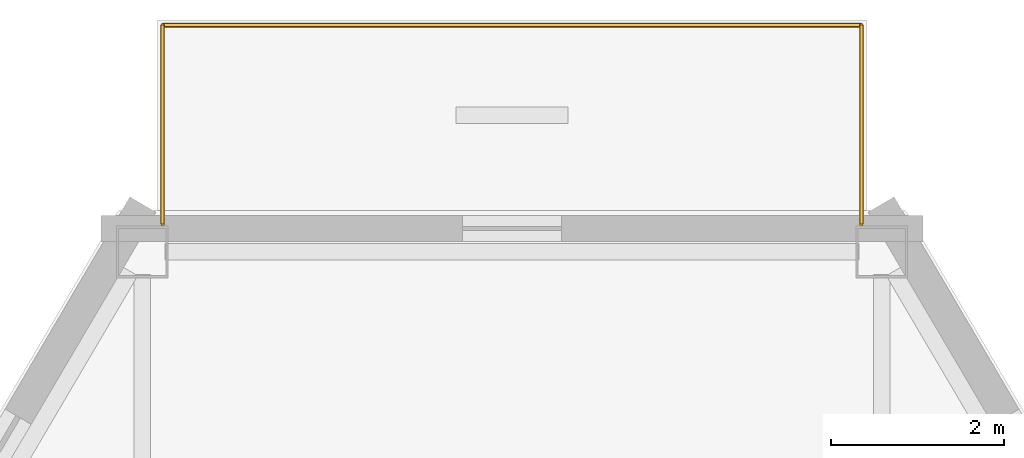
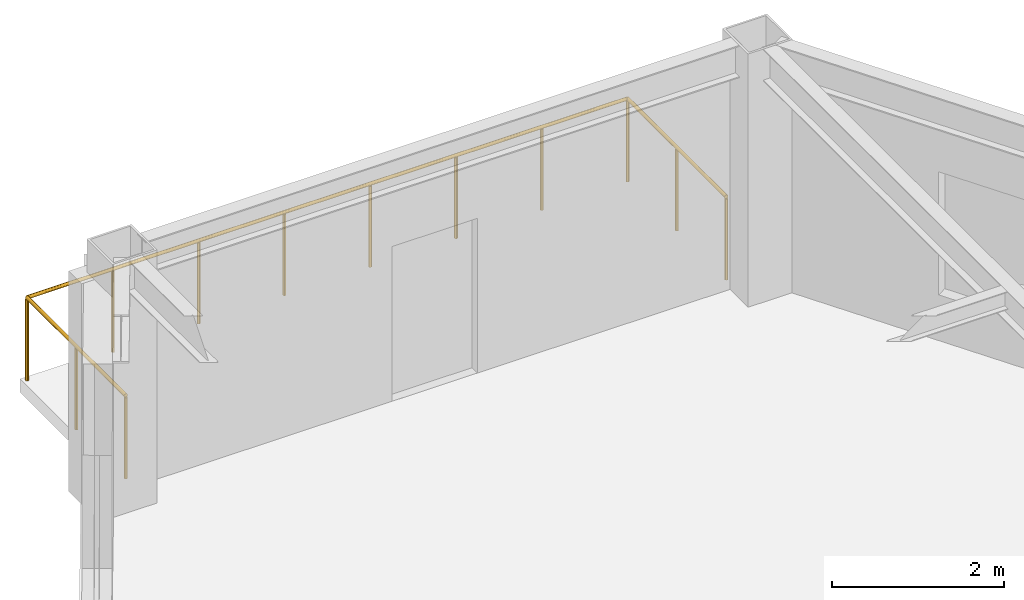
# One storey, part 12 of 12: 3 railings.
"""IFC4 building model written with IfcOpenShell, lengths in metres."""

import ifcopenshell
import ifcopenshell.guid

model = None  # the IFC model being written
_history = None  # IfcOwnerHistory: only IFC2X3 demands one
_inside = {}  # id of a spatial element -> (the spatial element, [elements in it])
_under = {}  # id of a project, library or spatial element -> (it, [spatial elements below it])
_declared = {}  # id of a project -> (the project, [libraries it declares])
_typed = {}  # id of a type object -> (the type object, [elements of that type])
_made_of = {}  # id of a material, layer set ... -> (it, [elements and type objects made of it])


def new_model(schema):
    """Start an empty IFC model of exactly this schema.

    Asked for "IFC4X3", IfcOpenShell would pick the latest addendum, in which some entities
    have other attributes; the version numbers below select the first issue.
    IFC2X3 requires an IfcOwnerHistory on every rooted entity: one is made here for all.
    """
    global model, _history
    if schema == "IFC4X3":
        model = ifcopenshell.file(schema_version=(4, 3, 0, 0))
    else:
        model = ifcopenshell.file(schema=schema)
    _inside.clear()
    _under.clear()
    _declared.clear()
    _typed.clear()
    _made_of.clear()
    _history = None
    if model.schema == "IFC2X3":
        org = make("IfcOrganization", Name="unknown")
        user = make(
            "IfcPersonAndOrganization",
            ThePerson=make("IfcPerson", FamilyName="unknown"),
            TheOrganization=org,
        )
        app = make(
            "IfcApplication",
            ApplicationDeveloper=org,
            Version="unknown",
            ApplicationFullName="unknown",
            ApplicationIdentifier="unknown",
        )
        _history = make(
            "IfcOwnerHistory",
            OwningUser=user,
            OwningApplication=app,
            ChangeAction="ADDED",
            CreationDate=0,
        )
    return model


def make(cls, **values):
    """One entity of the class cls with the attributes given. An attribute that is None is left unset."""
    return model.create_entity(
        cls, **{name: value for name, value in values.items() if value is not None}
    )


def rooted(cls, **values):
    """An entity with a GlobalId (a new one), such as an element, a storey or a relation."""
    return make(cls, GlobalId=ifcopenshell.guid.new(), OwnerHistory=_history, **values)


def si_unit(unit_type, name, prefix=None):
    """IfcSIUnit, for example si_unit("LENGTHUNIT", "METRE", prefix="MILLI")."""
    return make("IfcSIUnit", UnitType=unit_type, Prefix=prefix, Name=name)


def assignment(units):
    """IfcUnitAssignment: the units of a project."""
    return None if units is None else make("IfcUnitAssignment", Units=units)


def point(xyz):
    """IfcCartesianPoint."""
    return None if xyz is None else make("IfcCartesianPoint", Coordinates=xyz)


def direction(xyz):
    """IfcDirection."""
    return None if xyz is None else make("IfcDirection", DirectionRatios=xyz)


def frame(location, z_axis=None, x_axis=None):
    """IfcAxis2Placement3D, a coordinate frame: its origin and axes. An axis left out is left unset."""
    return make(
        "IfcAxis2Placement3D",
        Location=point(location),
        Axis=direction(z_axis),
        RefDirection=direction(x_axis),
    )


def frame_2d(location, x_axis=None):
    """IfcAxis2Placement2D, a coordinate frame in the plane: its origin and x axis."""
    return make(
        "IfcAxis2Placement2D", Location=point(location), RefDirection=direction(x_axis)
    )


def origin():
    """The frame at (0, 0, 0) with its axes left unset."""
    return frame((0.0, 0.0, 0.0))


def origin_2d():
    """The frame at (0, 0) in the plane with its x axis left unset."""
    return frame_2d((0.0, 0.0))


def place(relative_to, where):
    """IfcLocalPlacement: puts the frame where relative to a parent placement (None: the world)."""
    return make(
        "IfcLocalPlacement", PlacementRelTo=relative_to, RelativePlacement=where
    )


def context(
    kind, dimensions, precision=None, world=None, true_north=None, identifier=None
):
    """IfcGeometricRepresentationContext, for example the 3D "Model" context."""
    return make(
        "IfcGeometricRepresentationContext",
        ContextIdentifier=identifier,
        ContextType=kind,
        CoordinateSpaceDimension=dimensions,
        Precision=precision,
        WorldCoordinateSystem=world,
        TrueNorth=true_north,
    )


def subcontext(parent, identifier, kind, view, scale=None):
    """IfcGeometricRepresentationSubContext, for example "Body" below "Model"."""
    return make(
        "IfcGeometricRepresentationSubContext",
        ContextIdentifier=identifier,
        ContextType=kind,
        ParentContext=parent,
        TargetScale=scale,
        TargetView=view,
    )


def project(units=None, contexts=None):
    """IfcProject with its units and contexts."""
    return rooted(
        "IfcProject",
        Name="project",
        RepresentationContexts=contexts,
        UnitsInContext=assignment(units),
    )


def spatial(cls, under=None, at=None, **own):
    """A site, building, storey or space (cls), placed at a placement, below another one or the project."""
    s = rooted(cls, ObjectPlacement=at, **own)
    if under is not None:
        _under.setdefault(under.id(), (under, []))[1].append(s)
    return s


def profile(cls, at=None, kind="AREA", **sizes):
    """A parametric profile (cls). Its sizes go by their IFC names, for example OverallWidth=200.0."""
    return make(cls, ProfileType=kind, Position=at, **sizes)


def circle(**sizes):
    """IfcCircleProfileDef."""
    return profile("IfcCircleProfileDef", **sizes)


def extrude(swept, where, along, depth):
    """IfcExtrudedAreaSolid: the profile swept, set in the frame where, extruded along a direction by depth."""
    return make(
        "IfcExtrudedAreaSolid",
        SweptArea=swept,
        Position=where,
        ExtrudedDirection=direction(along),
        Depth=depth,
    )


def shape(context_of_items, identifier, shape_type, items):
    """IfcShapeRepresentation: the items that make up one representation, for example the "Body"."""
    return make(
        "IfcShapeRepresentation",
        ContextOfItems=context_of_items,
        RepresentationIdentifier=identifier,
        RepresentationType=shape_type,
        Items=items,
    )


def material(Name=None, Category=None):
    """IfcMaterial."""
    return make("IfcMaterial", Name=Name, Category=Category)


def made_of(thing, what):
    """Note that an element or type object is made of a material, layer set ...; save() writes the relation."""
    if what is not None:
        _made_of.setdefault(what.id(), (what, []))[1].append(thing)
    return thing


def type_object(cls, material=None, **own):
    """A type object (cls), such as IfcWallType, which elements share."""
    return made_of(rooted(cls, **own), material)


def element(
    cls,
    number,
    at=None,
    inside=None,
    cuts=None,
    type_object=None,
    material=None,
    context=None,
    identifier="Body",
    shape_type=None,
    held_by="IfcProductDefinitionShape",
    body=None,
    shapes=None,
    **own,
):
    """One element of the class cls, such as IfcWall. Its Tag is "e" and its number.

    at: its placement. inside: the storey or other place that contains it. cuts: it is an
    opening in that element (IfcRelVoidsElement). A single representation is given by context,
    identifier, shape_type and body (its items); several are given by shapes. held_by: the class
    of the entity that holds the representations. save() writes the other relations.
    """
    e = rooted(cls, Tag="e%d" % number, ObjectPlacement=at, **own)
    if body is not None:
        shapes = [shape(context, identifier, shape_type, body)]
    if shapes is not None:
        e.Representation = make(held_by, Representations=shapes)
    if inside is not None:
        _inside.setdefault(inside.id(), (inside, []))[1].append(e)
    if cuts is not None:
        rooted(
            "IfcRelVoidsElement", RelatingBuildingElement=cuts, RelatedOpeningElement=e
        )
    if type_object is not None:
        _typed.setdefault(type_object.id(), (type_object, []))[1].append(e)
    return made_of(e, material)


def aggregate(whole, parts):
    """IfcRelAggregates: a whole, such as a stair, and the parts it consists of."""
    return rooted("IfcRelAggregates", RelatingObject=whole, RelatedObjects=parts)


def save(model, path):
    """Write the relations noted so far, then the file.

    IfcRelAggregates (storeys below a building ...), IfcRelContainedInSpatialStructure (elements
    in a storey), IfcRelDefinesByType, IfcRelAssociatesMaterial and IfcRelDeclares: one each for
    every whole, place, type object, material and project.
    """
    for whole, parts in _under.values():
        aggregate(whole, parts)
    for where, things in _inside.values():
        rooted(
            "IfcRelContainedInSpatialStructure",
            RelatedElements=things,
            RelatingStructure=where,
        )
    for kind, things in _typed.values():
        rooted("IfcRelDefinesByType", RelatedObjects=things, RelatingType=kind)
    for what, things in _made_of.values():
        rooted("IfcRelAssociatesMaterial", RelatedObjects=things, RelatingMaterial=what)
    for by, libraries in _declared.values():
        rooted("IfcRelDeclares", RelatingContext=by, RelatedDefinitions=libraries)
    model.write(path)


model = new_model("IFC4")

# Units and contexts
model_context = context("Model", 3, precision=1e-05, world=origin(), true_north=direction((0.0, 1.0)))
body_context = subcontext(model_context, "Body", "Model", "MODEL_VIEW")
ifc_project = project(units=[si_unit("LENGTHUNIT", "METRE"), si_unit("AREAUNIT", "SQUARE_METRE"), si_unit("VOLUMEUNIT", "CUBIC_METRE"), si_unit("PLANEANGLEUNIT", "RADIAN"), si_unit("MASSUNIT", "GRAM", prefix="KILO")], contexts=[model_context])

# Site, building, storey
site_placement = place(None, origin())
site = spatial("IfcSite", under=ifc_project, at=site_placement, CompositionType="ELEMENT")
building_placement = place(site_placement, origin())
building = spatial("IfcBuilding", under=site, at=building_placement, Name="Kavelnor Concourse Tower", CompositionType="ELEMENT")
storey_placement = place(building_placement, frame((0.0, 0.0, 203.5)))
storey = spatial("IfcBuildingStorey", under=building, at=storey_placement, Name="L51", CompositionType="ELEMENT", Elevation=203.5)

# Railings
ifc_material = material(Name="Architectural bronze-anodised aluminium", Category="aluminium")
railing_type = type_object("IfcRailingType", Name="RLG-TERRACE-1200", PredefinedType="BALUSTRADE", material=ifc_material)
railing_1_placement = place(storey_placement, frame((42.038818359375, 43.777587890625, 0.0)))
element("IfcRailing", 1, at=railing_1_placement, inside=storey, type_object=railing_type, Name="L51 Spiral Terrace Guardrail L", PredefinedType="BALUSTRADE", context=body_context, shape_type="SweptSolid", body=[
    extrude(circle(Radius=0.02392578125, at=origin_2d()), frame((0.0, 0.0, 1.17578125), z_axis=(0.0, 1.0, 0.0), x_axis=(-1.0, 0.0, 0.0)), (0.0, 0.0, 1.0), 2.300048828125),
    extrude(circle(Radius=0.02099609375, at=origin_2d()), origin(), (0.0, 0.0, 1.0), 1.15185546875),
    extrude(circle(Radius=0.02099609375, at=origin_2d()), frame((0.0, 1.14990234375, 0.0)), (0.0, 0.0, 1.0), 1.15185546875),
    extrude(circle(Radius=0.02099609375, at=origin_2d()), frame((0.0, 2.300048828125, 0.0)), (0.0, 0.0, 1.0), 1.15185546875),
])
railing_2_placement = place(storey_placement, frame((42.038818359375, 46.07763671875, 0.0)))
element("IfcRailing", 2, at=railing_2_placement, inside=storey, type_object=railing_type, Name="L51 Spiral Terrace Guardrail F", PredefinedType="BALUSTRADE", context=body_context, shape_type="SweptSolid", body=[
    extrude(circle(Radius=0.02392578125, at=origin_2d()), frame((0.0, 0.0, 1.17578125), z_axis=(-1.0, 0.0, 0.0), x_axis=(0.0, -1.0, 0.0)), (0.0, 0.0, 1.0), 8.07763671875),
    extrude(circle(Radius=0.02099609375, at=origin_2d()), origin(), (0.0, 0.0, 1.0), 1.15185546875),
    extrude(circle(Radius=0.02099609375, at=origin_2d()), frame((-1.154052734375, 0.0, 0.0)), (0.0, 0.0, 1.0), 1.15185546875),
    extrude(circle(Radius=0.02099609375, at=origin_2d()), frame((-2.307861328125, 0.0, 0.0)), (0.0, 0.0, 1.0), 1.15185546875),
    extrude(circle(Radius=0.02099609375, at=origin_2d()), frame((-3.4619140625, 0.0, 0.0)), (0.0, 0.0, 1.0), 1.15185546875),
    extrude(circle(Radius=0.02099609375, at=origin_2d()), frame((-4.61572265625, 0.0, 0.0)), (0.0, 0.0, 1.0), 1.15185546875),
    extrude(circle(Radius=0.02099609375, at=origin_2d()), frame((-5.769775390625, 0.0, 0.0)), (0.0, 0.0, 1.0), 1.15185546875),
    extrude(circle(Radius=0.02099609375, at=origin_2d()), frame((-6.923583984375, 0.0, 0.0)), (0.0, 0.0, 1.0), 1.15185546875),
    extrude(circle(Radius=0.02099609375, at=origin_2d()), frame((-8.07763671875, 0.0, 0.0)), (0.0, 0.0, 1.0), 1.15185546875),
])
railing_3_placement = place(storey_placement, frame((33.961181640625, 46.07763671875, 0.0)))
element("IfcRailing", 3, at=railing_3_placement, inside=storey, type_object=railing_type, Name="L51 Spiral Terrace Guardrail R", PredefinedType="BALUSTRADE", context=body_context, shape_type="SweptSolid", body=[
    extrude(circle(Radius=0.02392578125, at=origin_2d()), frame((0.0, 0.0, 1.17578125), z_axis=(0.0, -1.0, 0.0), x_axis=(1.0, 0.0, 0.0)), (0.0, 0.0, 1.0), 2.300048828125),
    extrude(circle(Radius=0.02099609375, at=origin_2d()), origin(), (0.0, 0.0, 1.0), 1.15185546875),
    extrude(circle(Radius=0.02099609375, at=origin_2d()), frame((0.0, -1.14990234375, 0.0)), (0.0, 0.0, 1.0), 1.15185546875),
    extrude(circle(Radius=0.02099609375, at=origin_2d()), frame((0.0, -2.300048828125, 0.0)), (0.0, 0.0, 1.0), 1.15185546875),
])

save(model, "model.ifc")
